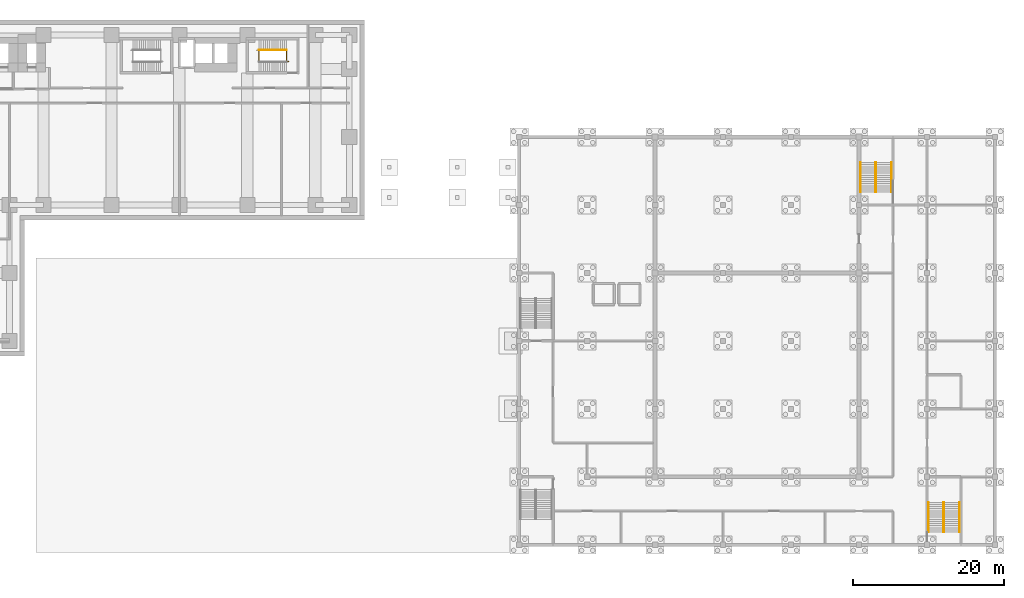
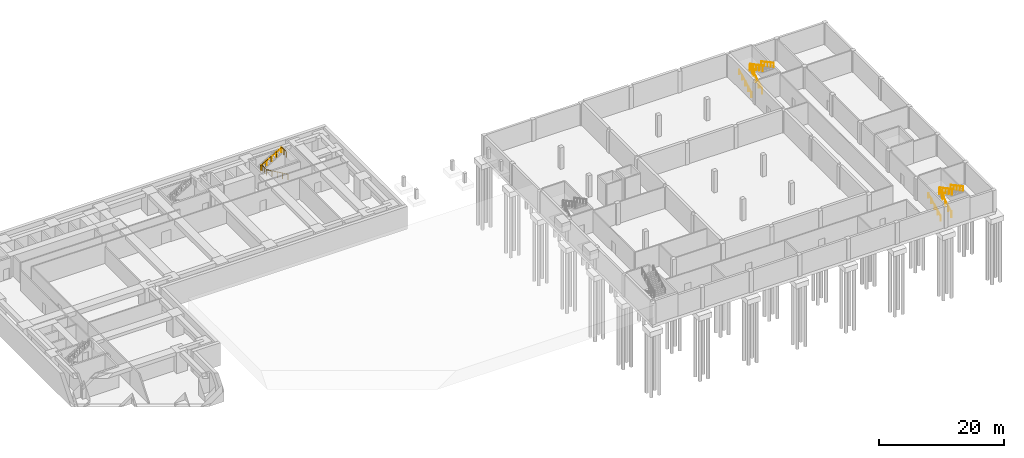
# One storey, part 12 of 12: 12 railings.
"""IFC4 building model written with IfcOpenShell, lengths in metres."""

from ifc_helpers import new_model, si_unit, direction, frame, origin, origin_2d, place, context, subcontext, project, spatial, circle, extrude, material, type_object, element, save


model = new_model("IFC4")

# Units and contexts
model_context = context("Model", 3, precision=1e-05, world=origin(), true_north=direction((0.0, 1.0)))
body_context = subcontext(model_context, "Body", "Model", "MODEL_VIEW")
ifc_project = project(units=[si_unit("LENGTHUNIT", "METRE"), si_unit("AREAUNIT", "SQUARE_METRE"), si_unit("VOLUMEUNIT", "CUBIC_METRE"), si_unit("PLANEANGLEUNIT", "RADIAN"), si_unit("MASSUNIT", "GRAM", prefix="KILO")], contexts=[model_context])

# Site, building, storey
site_placement = place(None, origin())
site = spatial("IfcSite", under=ifc_project, at=site_placement, CompositionType="ELEMENT")
building_placement = place(site_placement, origin())
building = spatial("IfcBuilding", under=site, at=building_placement, Name="Firuza Court", CompositionType="ELEMENT")
storey_placement = place(building_placement, frame((0.0, 0.0, -4.5)))
storey = spatial("IfcBuildingStorey", under=building, at=storey_placement, Name="B1", CompositionType="ELEMENT", Elevation=-4.5)

# Railings
ifc_material_1 = material(Name="Steel S355", Category="steel")
railing_type_1 = type_object("IfcRailingType", Name="HALL HANDRAIL 900", PredefinedType="HANDRAIL", material=ifc_material_1)
railing_1_placement = place(storey_placement, frame((144.18994140625, -7.300048828125, 0.14990234375)))
element("IfcRailing", 1, at=railing_1_placement, inside=storey, type_object=railing_type_1, Name="Stair H2 flight 1 handrail B1", PredefinedType="HANDRAIL", context=body_context, shape_type="SweptSolid", body=[
    extrude(circle(Radius=0.02099609375, at=origin_2d()), frame((0.0, 0.0, 0.87890625), z_axis=(0.0, 0.881479153919, 0.472222935917), x_axis=(-1.0, 0.0, 0.0)), (0.0, 0.0, 1.0), 4.447265625),
    extrude(circle(Radius=0.02001953125, at=origin_2d()), origin(), (0.0, 0.0, 1.0), 0.85791015625),
    extrude(circle(Radius=0.02001953125, at=origin_2d()), frame((0.0, 0.97998046875, 0.52490234375)), (0.0, 0.0, 1.0), 0.85791015625),
    extrude(circle(Radius=0.02001953125, at=origin_2d()), frame((0.0, 1.9599609375, 1.050048828125)), (0.0, 0.0, 1.0), 0.85791015625),
    extrude(circle(Radius=0.02001953125, at=origin_2d()), frame((0.0, 2.940185546875, 1.5751953125)), (0.0, 0.0, 1.0), 0.85791015625),
    extrude(circle(Radius=0.02001953125, at=origin_2d()), frame((0.0, 3.920166015625, 2.10009765625)), (0.0, 0.0, 1.0), 0.85791015625),
])
railing_2_placement = place(storey_placement, frame((148.31005859375, -3.3798828125, 2.39990234375)))
element("IfcRailing", 2, at=railing_2_placement, inside=storey, type_object=railing_type_1, Name="Stair H2 flight 2 handrail B1", PredefinedType="HANDRAIL", context=body_context, shape_type="SweptSolid", body=[
    extrude(circle(Radius=0.02099609375, at=origin_2d()), frame((0.0, 0.0, 0.87890625), z_axis=(0.0, -0.881479153919, 0.472222935917), x_axis=(1.0, 0.0, 0.0)), (0.0, 0.0, 1.0), 4.447265625),
    extrude(circle(Radius=0.02001953125, at=origin_2d()), origin(), (0.0, 0.0, 1.0), 0.85791015625),
    extrude(circle(Radius=0.02001953125, at=origin_2d()), frame((0.0, -0.97998046875, 0.52490234375)), (0.0, 0.0, 1.0), 0.85791015625),
    extrude(circle(Radius=0.02001953125, at=origin_2d()), frame((0.0, -1.9599609375, 1.050048828125)), (0.0, 0.0, 1.0), 0.85791015625),
    extrude(circle(Radius=0.02001953125, at=origin_2d()), frame((0.0, -2.940185546875, 1.5751953125)), (0.0, 0.0, 1.0), 0.85791015625),
    extrude(circle(Radius=0.02001953125, at=origin_2d()), frame((0.0, -3.920166015625, 2.10009765625)), (0.0, 0.0, 1.0), 0.85791015625),
])
railing_3_placement = place(storey_placement, frame((135.18994140625, 37.699951171875, 0.14990234375)))
element("IfcRailing", 3, at=railing_3_placement, inside=storey, type_object=railing_type_1, Name="Stair H4 flight 1 handrail B1", PredefinedType="HANDRAIL", context=body_context, shape_type="SweptSolid", body=[
    extrude(circle(Radius=0.02099609375, at=origin_2d()), frame((0.0, 0.0, 0.87890625), z_axis=(0.0, 0.881479153919, 0.472222935917), x_axis=(-1.0, 0.0, 0.0)), (0.0, 0.0, 1.0), 4.447265625),
    extrude(circle(Radius=0.02001953125, at=origin_2d()), origin(), (0.0, 0.0, 1.0), 0.85791015625),
    extrude(circle(Radius=0.02001953125, at=origin_2d()), frame((0.0, 0.97998046875, 0.52490234375)), (0.0, 0.0, 1.0), 0.85791015625),
    extrude(circle(Radius=0.02001953125, at=origin_2d()), frame((0.0, 1.9599609375, 1.050048828125)), (0.0, 0.0, 1.0), 0.85791015625),
    extrude(circle(Radius=0.02001953125, at=origin_2d()), frame((0.0, 2.940185546875, 1.5751953125)), (0.0, 0.0, 1.0), 0.85791015625),
    extrude(circle(Radius=0.02001953125, at=origin_2d()), frame((0.0, 3.920166015625, 2.10009765625)), (0.0, 0.0, 1.0), 0.85791015625),
])
railing_4_placement = place(storey_placement, frame((139.31005859375, 41.6201171875, 2.39990234375)))
element("IfcRailing", 4, at=railing_4_placement, inside=storey, type_object=railing_type_1, Name="Stair H4 flight 2 handrail B1", PredefinedType="HANDRAIL", context=body_context, shape_type="SweptSolid", body=[
    extrude(circle(Radius=0.02099609375, at=origin_2d()), frame((0.0, 0.0, 0.87890625), z_axis=(0.0, -0.881479153919, 0.472222935917), x_axis=(1.0, 0.0, 0.0)), (0.0, 0.0, 1.0), 4.447265625),
    extrude(circle(Radius=0.02001953125, at=origin_2d()), origin(), (0.0, 0.0, 1.0), 0.85791015625),
    extrude(circle(Radius=0.02001953125, at=origin_2d()), frame((0.0, -0.97998046875, 0.52490234375)), (0.0, 0.0, 1.0), 0.85791015625),
    extrude(circle(Radius=0.02001953125, at=origin_2d()), frame((0.0, -1.9599609375, 1.050048828125)), (0.0, 0.0, 1.0), 0.85791015625),
    extrude(circle(Radius=0.02001953125, at=origin_2d()), frame((0.0, -2.940185546875, 1.5751953125)), (0.0, 0.0, 1.0), 0.85791015625),
    extrude(circle(Radius=0.02001953125, at=origin_2d()), frame((0.0, -3.920166015625, 2.10009765625)), (0.0, 0.0, 1.0), 0.85791015625),
])
ifc_material_2 = material(Name="Steel S355", Category="steel")
railing_type_2 = type_object("IfcRailingType", Name="HALL RAILING 1100", PredefinedType="GUARDRAIL", material=ifc_material_2)
railing_5_placement = place(storey_placement, frame((146.14990234375, -7.300048828125, 0.14990234375)))
element("IfcRailing", 5, at=railing_5_placement, inside=storey, type_object=railing_type_2, Name="Stair H2 flight 1 guard B1", PredefinedType="GUARDRAIL", context=body_context, shape_type="SweptSolid", body=[
    extrude(circle(Radius=0.02392578125, at=origin_2d()), frame((0.0, 0.0, 1.076171875), z_axis=(0.0, 0.881479153919, 0.472222935917), x_axis=(-1.0, 0.0, 0.0)), (0.0, 0.0, 1.0), 4.447265625),
    extrude(circle(Radius=0.02099609375, at=origin_2d()), origin(), (0.0, 0.0, 1.0), 1.052001953125),
    extrude(circle(Radius=0.02099609375, at=origin_2d()), frame((0.0, 0.97998046875, 0.52490234375)), (0.0, 0.0, 1.0), 1.052001953125),
    extrude(circle(Radius=0.02099609375, at=origin_2d()), frame((0.0, 1.9599609375, 1.050048828125)), (0.0, 0.0, 1.0), 1.052001953125),
    extrude(circle(Radius=0.02099609375, at=origin_2d()), frame((0.0, 2.940185546875, 1.5751953125)), (0.0, 0.0, 1.0), 1.052001953125),
    extrude(circle(Radius=0.02099609375, at=origin_2d()), frame((0.0, 3.920166015625, 2.10009765625)), (0.0, 0.0, 1.0), 1.052001953125),
])
railing_6_placement = place(storey_placement, frame((146.25, -3.3798828125, 2.39990234375)))
element("IfcRailing", 6, at=railing_6_placement, inside=storey, type_object=railing_type_2, Name="Stair H2 flight 2 guard B1", PredefinedType="GUARDRAIL", context=body_context, shape_type="SweptSolid", body=[
    extrude(circle(Radius=0.02392578125, at=origin_2d()), frame((0.0, 0.0, 1.076171875), z_axis=(0.0, -0.881479153919, 0.472222935917), x_axis=(1.0, 0.0, 0.0)), (0.0, 0.0, 1.0), 4.447265625),
    extrude(circle(Radius=0.02099609375, at=origin_2d()), origin(), (0.0, 0.0, 1.0), 1.052001953125),
    extrude(circle(Radius=0.02099609375, at=origin_2d()), frame((0.0, -0.97998046875, 0.52490234375)), (0.0, 0.0, 1.0), 1.052001953125),
    extrude(circle(Radius=0.02099609375, at=origin_2d()), frame((0.0, -1.9599609375, 1.050048828125)), (0.0, 0.0, 1.0), 1.052001953125),
    extrude(circle(Radius=0.02099609375, at=origin_2d()), frame((0.0, -2.940185546875, 1.5751953125)), (0.0, 0.0, 1.0), 1.052001953125),
    extrude(circle(Radius=0.02099609375, at=origin_2d()), frame((0.0, -3.920166015625, 2.10009765625)), (0.0, 0.0, 1.0), 1.052001953125),
])
railing_7_placement = place(storey_placement, frame((146.199951171875, -4.8798828125, 2.25)))
element("IfcRailing", 7, at=railing_7_placement, inside=storey, type_object=railing_type_2, Name="Stair H2 landing guard 1 B1", PredefinedType="GUARDRAIL", context=body_context, shape_type="SweptSolid", body=[
    extrude(circle(Radius=0.02392578125, at=origin_2d()), frame((0.0, 0.0, 1.076171875), z_axis=(0.0, 1.0, 0.0), x_axis=(-1.0, 0.0, 0.0)), (0.0, 0.0, 1.0), 1.5),
    extrude(circle(Radius=0.02099609375, at=origin_2d()), origin(), (0.0, 0.0, 1.0), 1.052001953125),
    extrude(circle(Radius=0.02099609375, at=origin_2d()), frame((0.0, 0.75, 0.0)), (0.0, 0.0, 1.0), 1.052001953125),
    extrude(circle(Radius=0.02099609375, at=origin_2d()), frame((0.0, 1.5, 0.0)), (0.0, 0.0, 1.0), 1.052001953125),
])
railing_8_placement = place(storey_placement, frame((137.14990234375, 37.699951171875, 0.14990234375)))
element("IfcRailing", 8, at=railing_8_placement, inside=storey, type_object=railing_type_2, Name="Stair H4 flight 1 guard B1", PredefinedType="GUARDRAIL", context=body_context, shape_type="SweptSolid", body=[
    extrude(circle(Radius=0.02392578125, at=origin_2d()), frame((0.0, 0.0, 1.076171875), z_axis=(0.0, 0.881479153919, 0.472222935917), x_axis=(-1.0, 0.0, 0.0)), (0.0, 0.0, 1.0), 4.447265625),
    extrude(circle(Radius=0.02099609375, at=origin_2d()), origin(), (0.0, 0.0, 1.0), 1.052001953125),
    extrude(circle(Radius=0.02099609375, at=origin_2d()), frame((0.0, 0.97998046875, 0.52490234375)), (0.0, 0.0, 1.0), 1.052001953125),
    extrude(circle(Radius=0.02099609375, at=origin_2d()), frame((0.0, 1.9599609375, 1.050048828125)), (0.0, 0.0, 1.0), 1.052001953125),
    extrude(circle(Radius=0.02099609375, at=origin_2d()), frame((0.0, 2.940185546875, 1.5751953125)), (0.0, 0.0, 1.0), 1.052001953125),
    extrude(circle(Radius=0.02099609375, at=origin_2d()), frame((0.0, 3.920166015625, 2.10009765625)), (0.0, 0.0, 1.0), 1.052001953125),
])
railing_9_placement = place(storey_placement, frame((137.25, 41.6201171875, 2.39990234375)))
element("IfcRailing", 9, at=railing_9_placement, inside=storey, type_object=railing_type_2, Name="Stair H4 flight 2 guard B1", PredefinedType="GUARDRAIL", context=body_context, shape_type="SweptSolid", body=[
    extrude(circle(Radius=0.02392578125, at=origin_2d()), frame((0.0, 0.0, 1.076171875), z_axis=(0.0, -0.881479153919, 0.472222935917), x_axis=(1.0, 0.0, 0.0)), (0.0, 0.0, 1.0), 4.447265625),
    extrude(circle(Radius=0.02099609375, at=origin_2d()), origin(), (0.0, 0.0, 1.0), 1.052001953125),
    extrude(circle(Radius=0.02099609375, at=origin_2d()), frame((0.0, -0.97998046875, 0.52490234375)), (0.0, 0.0, 1.0), 1.052001953125),
    extrude(circle(Radius=0.02099609375, at=origin_2d()), frame((0.0, -1.9599609375, 1.050048828125)), (0.0, 0.0, 1.0), 1.052001953125),
    extrude(circle(Radius=0.02099609375, at=origin_2d()), frame((0.0, -2.940185546875, 1.5751953125)), (0.0, 0.0, 1.0), 1.052001953125),
    extrude(circle(Radius=0.02099609375, at=origin_2d()), frame((0.0, -3.920166015625, 2.10009765625)), (0.0, 0.0, 1.0), 1.052001953125),
])
railing_10_placement = place(storey_placement, frame((137.199951171875, 40.1201171875, 2.25)))
element("IfcRailing", 10, at=railing_10_placement, inside=storey, type_object=railing_type_2, Name="Stair H4 landing guard 1 B1", PredefinedType="GUARDRAIL", context=body_context, shape_type="SweptSolid", body=[
    extrude(circle(Radius=0.02392578125, at=origin_2d()), frame((0.0, 0.0, 1.076171875), z_axis=(0.0, 1.0, 0.0), x_axis=(-1.0, 0.0, 0.0)), (0.0, 0.0, 1.0), 1.5),
    extrude(circle(Radius=0.02099609375, at=origin_2d()), origin(), (0.0, 0.0, 1.0), 1.052001953125),
    extrude(circle(Radius=0.02099609375, at=origin_2d()), frame((0.0, 0.75, 0.0)), (0.0, 0.0, 1.0), 1.052001953125),
    extrude(circle(Radius=0.02099609375, at=origin_2d()), frame((0.0, 1.5, 0.0)), (0.0, 0.0, 1.0), 1.052001953125),
])
ifc_material_3 = material(Name="Steel S355", Category="steel")
railing_type_3 = type_object("IfcRailingType", Name="Handrail 900", PredefinedType="HANDRAIL", material=ifc_material_3)
railing_11_placement = place(storey_placement, frame((55.56005859375, 56.550048828125, 2.41064453125)))
element("IfcRailing", 11, at=railing_11_placement, inside=storey, type_object=railing_type_3, Name="Handrail S4 flight 2", PredefinedType="HANDRAIL", context=body_context, shape_type="SweptSolid", body=[
    extrude(circle(Radius=0.02490234375, at=origin_2d()), frame((0.0, 0.0, 0.875), z_axis=(0.8672749571, 0.0, 0.497829437445), x_axis=(0.0, 1.0, 0.0)), (0.0, 0.0, 1.0), 4.197021484375),
    extrude(circle(Radius=0.02001953125, at=origin_2d()), origin(), (0.0, 0.0, 1.0), 0.849853515625),
    extrude(circle(Radius=0.02001953125, at=origin_2d()), frame((0.909912109375, 0.0, 0.5224609375)), (0.0, 0.0, 1.0), 0.849853515625),
    extrude(circle(Radius=0.02001953125, at=origin_2d()), frame((1.81982421875, 0.0, 1.044677734375)), (0.0, 0.0, 1.0), 0.849853515625),
    extrude(circle(Radius=0.02001953125, at=origin_2d()), frame((2.72998046875, 0.0, 1.56689453125)), (0.0, 0.0, 1.0), 0.849853515625),
    extrude(circle(Radius=0.02001953125, at=origin_2d()), frame((3.639892578125, 0.0, 2.08935546875)), (0.0, 0.0, 1.0), 0.849853515625),
])
ifc_material_4 = material(Name="Steel S355", Category="steel")
railing_type_4 = type_object("IfcRailingType", Name="Stair guard 1100", PredefinedType="GUARDRAIL", material=ifc_material_4)
railing_12_placement = place(storey_placement, frame((59.47998046875, 55.010009765625, 0.0)))
element("IfcRailing", 12, at=railing_12_placement, inside=storey, type_object=railing_type_4, Name="Stair well guard S4", PredefinedType="GUARDRAIL", context=body_context, shape_type="SweptSolid", body=[
    extrude(circle(Radius=0.02490234375, at=origin_2d()), frame((0.0, 0.0, 1.0751953125), z_axis=(-0.867284192427, 0.0, 0.49781334812), x_axis=(0.0, -1.0, 0.0)), (0.0, 0.0, 1.0), 4.519775390625),
    extrude(circle(Radius=0.02490234375, at=origin_2d()), frame((-3.919921875, 0.0, 3.3251953125), z_axis=(0.0, 1.0, 0.0), x_axis=(-1.0, 0.0, 0.0)), (0.0, 0.0, 1.0), 1.47998046875),
    extrude(circle(Radius=0.02490234375, at=origin_2d()), frame((-3.919921875, 1.47998046875, 3.3251953125), z_axis=(-1.0, 0.0, 0.0), x_axis=(0.0, -1.0, 0.0)), (0.0, 0.0, 1.0), 0.280029296875),
    extrude(circle(Radius=0.02490234375, at=origin_2d()), frame((-4.199951171875, 1.47998046875, 3.3251953125), z_axis=(0.867284192427, 0.0, 0.49781334812), x_axis=(0.0, 1.0, 0.0)), (0.0, 0.0, 1.0), 4.519775390625),
    extrude(circle(Radius=0.02490234375, at=origin_2d()), frame((-0.280029296875, 1.47998046875, 5.5751953125), z_axis=(0.0, -1.0, 0.0), x_axis=(1.0, 0.0, 0.0)), (0.0, 0.0, 1.0), 1.47998046875),
    extrude(circle(Radius=0.02490234375, at=origin_2d()), origin(), (0.0, 0.0, 1.0), 1.050048828125),
    extrude(circle(Radius=0.02490234375, at=origin_2d()), frame((-0.97998046875, 0.0, 0.5625)), (0.0, 0.0, 1.0), 1.050048828125),
    extrude(circle(Radius=0.02490234375, at=origin_2d()), frame((-1.9599609375, 0.0, 1.125)), (0.0, 0.0, 1.0), 1.050048828125),
    extrude(circle(Radius=0.02490234375, at=origin_2d()), frame((-2.93994140625, 0.0, 1.6875)), (0.0, 0.0, 1.0), 1.050048828125),
    extrude(circle(Radius=0.02490234375, at=origin_2d()), frame((-3.919921875, 0.0, 2.25)), (0.0, 0.0, 1.0), 1.050048828125),
    extrude(circle(Radius=0.02490234375, at=origin_2d()), frame((-3.919921875, 0.739990234375, 2.25)), (0.0, 0.0, 1.0), 1.050048828125),
    extrude(circle(Radius=0.02490234375, at=origin_2d()), frame((-3.919921875, 1.47998046875, 2.25)), (0.0, 0.0, 1.0), 1.050048828125),
    extrude(circle(Radius=0.02490234375, at=origin_2d()), frame((-4.199951171875, 1.47998046875, 2.25)), (0.0, 0.0, 1.0), 1.050048828125),
    extrude(circle(Radius=0.02490234375, at=origin_2d()), frame((-3.219970703125, 1.47998046875, 2.8125)), (0.0, 0.0, 1.0), 1.050048828125),
    extrude(circle(Radius=0.02490234375, at=origin_2d()), frame((-2.239990234375, 1.47998046875, 3.375)), (0.0, 0.0, 1.0), 1.050048828125),
    extrude(circle(Radius=0.02490234375, at=origin_2d()), frame((-1.260009765625, 1.47998046875, 3.9375)), (0.0, 0.0, 1.0), 1.050048828125),
    extrude(circle(Radius=0.02490234375, at=origin_2d()), frame((-0.280029296875, 1.47998046875, 4.5)), (0.0, 0.0, 1.0), 1.050048828125),
    extrude(circle(Radius=0.02490234375, at=origin_2d()), frame((-0.280029296875, 0.739990234375, 4.5)), (0.0, 0.0, 1.0), 1.050048828125),
    extrude(circle(Radius=0.02490234375, at=origin_2d()), frame((-0.280029296875, 0.0, 4.5)), (0.0, 0.0, 1.0), 1.050048828125),
])

save(model, "model.ifc")
